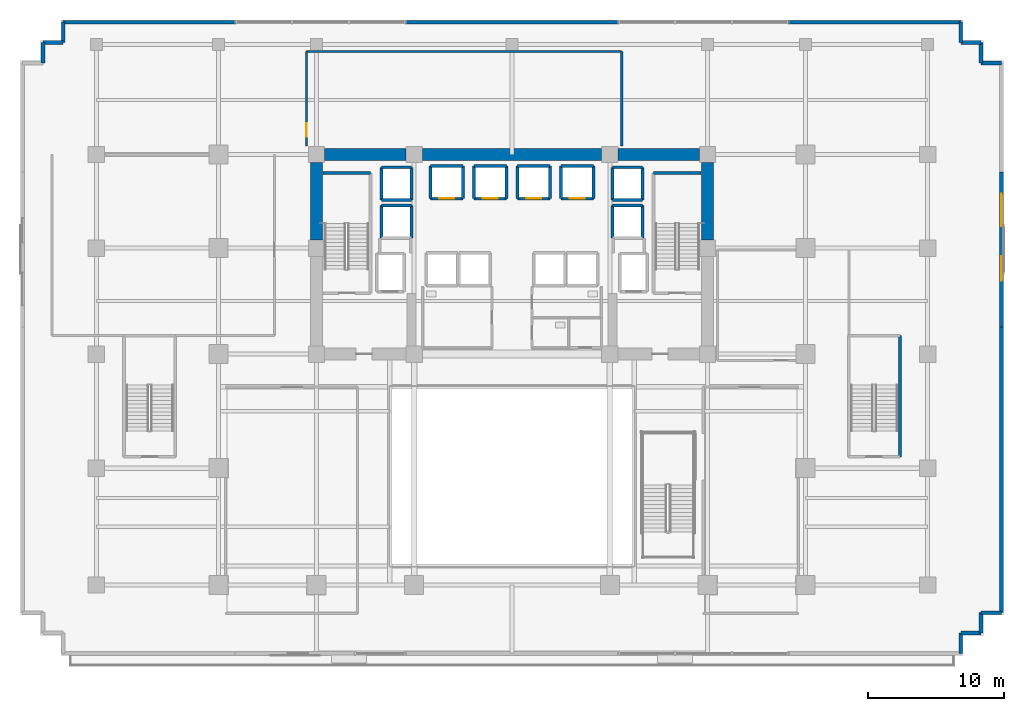
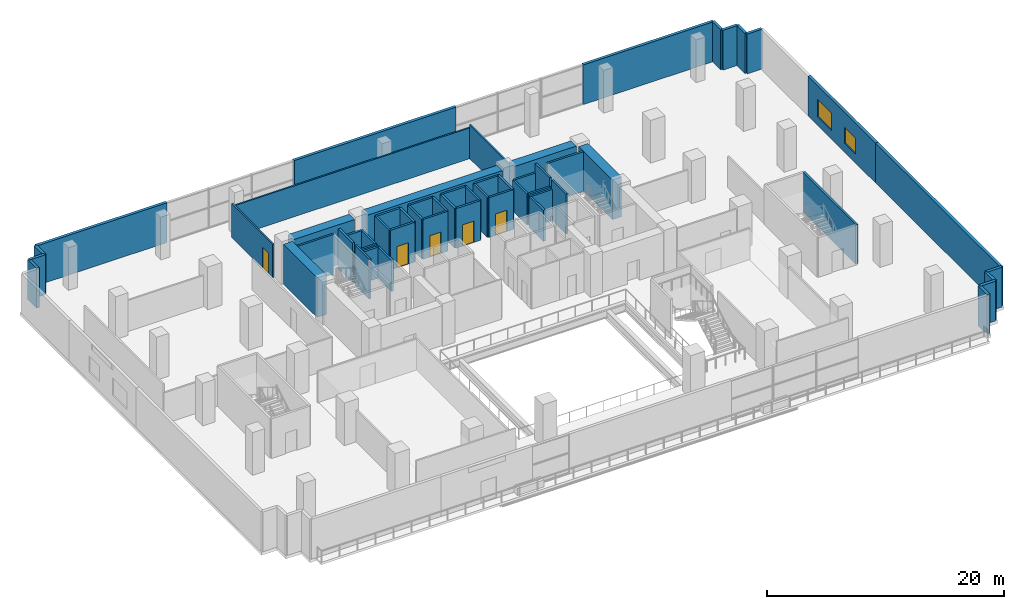
# One storey, part 15 of 23: 57 walls, 5 doors, 2 windows, 7 openings.
"""IFC4 building model written with IfcOpenShell, lengths in metres."""

from ifc_helpers import new_model, si_unit, direction, frame, frame_2d, origin, place, context, subcontext, project, spatial, rectangle, extrude, source, transform, mapped, material, layer, layer_set, type_object, element, fill, save


model = new_model("IFC4")

# Units and contexts
model_context = context("Model", 3, precision=1e-05, world=origin(), true_north=direction((0.0, 1.0)))
body_context = subcontext(model_context, "Body", "Model", "MODEL_VIEW")
ifc_project = project(units=[si_unit("LENGTHUNIT", "METRE"), si_unit("AREAUNIT", "SQUARE_METRE"), si_unit("VOLUMEUNIT", "CUBIC_METRE"), si_unit("PLANEANGLEUNIT", "RADIAN"), si_unit("MASSUNIT", "GRAM", prefix="KILO")], contexts=[model_context])

# Site, building, storey
site_placement = place(None, origin())
site = spatial("IfcSite", under=ifc_project, at=site_placement, CompositionType="ELEMENT")
building_placement = place(site_placement, origin())
building = spatial("IfcBuilding", under=site, at=building_placement, Name="Zarnakvel Exchange Tower", CompositionType="ELEMENT")
storey_placement = place(building_placement, frame((0.0, 0.0, 13.800048828125)))
storey = spatial("IfcBuildingStorey", under=building, at=storey_placement, Name="L03", CompositionType="ELEMENT", Elevation=13.800048828125)

# Walls
ifc_material_1 = material(Name="Concrete C80/95", Category="concrete")
ifc_layer_1 = layer(ifc_material_1, 0.89990234375)
ifc_layer_set_1 = layer_set([ifc_layer_1], Name="Concrete C80/95")
wall_type_1 = type_object("IfcWallType", Name="CW-C1", PredefinedType="SHEAR", material=ifc_layer_set_1)
wall_1_placement = place(storey_placement, frame((-13.800048828125, 13.5, 0.0), z_axis=(0.0, 0.0, 1.0), x_axis=(1.0, 0.0, 0.0)))
element("IfcWall", 1, at=wall_1_placement, inside=storey, type_object=wall_type_1, Name="L03 Rear Core Shear Wall N1 (CW-C1)", PredefinedType="SHEAR", context=body_context, shape_type="SweptSolid", body=[
    extrude(rectangle(XDim=6.0, YDim=0.89990234375, at=frame_2d((3.0, 0.0))), origin(), (0.0, 0.0, 1.0), 4.099853515625),
])
wall_2_placement = place(storey_placement, frame((-6.60009765625, 13.5, 0.0), z_axis=(0.0, 0.0, 1.0), x_axis=(1.0, 0.0, 0.0)))
element("IfcWall", 2, at=wall_2_placement, inside=storey, type_object=wall_type_1, Name="L03 Rear Core Shear Wall N2 (CW-C1)", PredefinedType="SHEAR", context=body_context, shape_type="SweptSolid", body=[
    extrude(rectangle(XDim=13.2001953125, YDim=0.89990234375, at=frame_2d((6.60009765625, 0.0))), origin(), (0.0, 0.0, 1.0), 4.099853515625),
])
wall_3_placement = place(storey_placement, frame((7.800048828125, 13.5, 0.0), z_axis=(0.0, 0.0, 1.0), x_axis=(1.0, 0.0, 0.0)))
element("IfcWall", 3, at=wall_3_placement, inside=storey, type_object=wall_type_1, Name="L03 Rear Core Shear Wall N3 (CW-C1)", PredefinedType="SHEAR", context=body_context, shape_type="SweptSolid", body=[
    extrude(rectangle(XDim=6.0, YDim=0.89990234375, at=frame_2d((3.0, 0.0))), origin(), (0.0, 0.0, 1.0), 4.099853515625),
])
for number, where, z_axis, x_axis, name in (
    (4, (-14.39990234375, 7.199951171875, 0.0), (0.0, 0.0, 1.0), (0.0, 1.0, 0.0), "L03 Rear Core Shear Wall W2 (CW-C1)"),
    (5, (14.39990234375, 7.199951171875, 0.0), (0.0, 0.0, 1.0), (0.0, 1.0, 0.0), "L03 Rear Core Shear Wall E2 (CW-C1)"),
):
    element("IfcWall", number, at=place(storey_placement, frame(where, z_axis=z_axis, x_axis=x_axis)), inside=storey, type_object=wall_type_1, Name=name, PredefinedType="SHEAR", context=body_context, shape_type="SweptSolid", body=[
        extrude(rectangle(XDim=5.699951171875, YDim=0.89990234375, at=frame_2d((2.85009765625, 0.0))), origin(), (0.0, 0.0, 1.0), 4.099853515625),
    ])

# Wall, openings, windows
ifc_material_2 = material(Name="Precast concrete C40/50", Category="concrete")
ifc_layer_2 = layer(ifc_material_2, 0.280029296875)
ifc_layer_set_2 = layer_set([ifc_layer_2], Name="Precast concrete C40/50")
wall_type_2 = type_object("IfcWallType", Name="EW-01", PredefinedType="SOLIDWALL", material=ifc_layer_set_2)
wall_4_placement = place(storey_placement, frame((36.0400390625, 12.199951171875, 0.0), z_axis=(0.0, 0.0, 1.0), x_axis=(0.0, -1.0, 0.0)))
wall_4 = element("IfcWall", 6, at=wall_4_placement, inside=storey, type_object=wall_type_2, Name="L03 Exterior Precast Spandrel Wall EW-L03-EF (EW-01)", PredefinedType="SOLIDWALL", context=body_context, shape_type="SweptSolid", body=[
    extrude(rectangle(XDim=11.39990234375, YDim=0.280029296875, at=frame_2d((5.699951171875, 0.0))), origin(), (0.0, 0.0, 1.0), 4.099853515625),
])
opening_1_placement = place(wall_4_placement, frame((1.60009765625, 0.0, 0.89990234375)))
opening_1 = element("IfcOpeningElement", 7, at=opening_1_placement, cuts=wall_4, Name="Opening WN-01", PredefinedType="OPENING", context=body_context, shape_type="SweptSolid", body=[
    extrude(rectangle(XDim=2.39990234375, YDim=1.800048828125, at=frame_2d((1.199951171875, 0.89990234375))), frame((0.0, 0.14990234375, 0.0), z_axis=(0.0, -1.0, 0.0), x_axis=(1.0, 0.0, 0.0)), (0.0, 0.0, 1.0), 0.300048828125),
])
opening_2_placement = place(wall_4_placement, frame((6.199951171875, 0.0, 0.89990234375)))
opening_2 = element("IfcOpeningElement", 8, at=opening_2_placement, cuts=wall_4, Name="Opening WN-02", PredefinedType="OPENING", context=body_context, shape_type="SweptSolid", body=[
    extrude(rectangle(XDim=1.800048828125, YDim=1.64990234375, at=frame_2d((0.89990234375, 0.824951171875))), frame((0.0, 0.14990234375, 0.0), z_axis=(0.0, -1.0, 0.0), x_axis=(1.0, 0.0, 0.0)), (0.0, 0.0, 1.0), 0.300048828125),
])
ifc_material_3 = material(Name="Double Low-E Laminated Vision Glass", Category="glass")
window_type_1 = type_object("IfcWindowType", Name="WN-01", PartitioningType="SINGLE_PANEL", PredefinedType="WINDOW", material=ifc_material_3)
shared_shape_1 = source(origin(), body_context, "Body", "SweptSolid", [
    extrude(rectangle(XDim=2.39990234375, YDim=1.800048828125, at=frame_2d((1.199951171875, 0.89990234375))), frame((0.0, 0.030029296875, 0.0), z_axis=(0.0, -1.0, 0.0), x_axis=(1.0, 0.0, 0.0)), (0.0, 0.0, 1.0), 0.06005859375),
])
window_1_placement = place(opening_1_placement, origin())
window_1 = element("IfcWindow", 9, at=window_1_placement, inside=storey, type_object=window_type_1, Name="L03 East Flank Window 1", OverallHeight=1.800048828125, OverallWidth=2.39990234375, PartitioningType="SINGLE_PANEL", PredefinedType="WINDOW", context=body_context, shape_type="MappedRepresentation", body=[
    mapped(shared_shape_1, transform((0.0, 0.0, 0.0), x_axis=(1.0, 0.0, 0.0), y_axis=(0.0, 1.0, 0.0), z_axis=(0.0, 0.0, 1.0), scale=1.0)),
])
fill(opening_1, window_1)
window_type_2 = type_object("IfcWindowType", Name="WN-02", PartitioningType="SINGLE_PANEL", PredefinedType="WINDOW", material=ifc_material_3)
shared_shape_2 = source(origin(), body_context, "Body", "SweptSolid", [
    extrude(rectangle(XDim=1.800048828125, YDim=1.64990234375, at=frame_2d((0.89990234375, 0.824951171875))), frame((0.0, 0.030029296875, 0.0), z_axis=(0.0, -1.0, 0.0), x_axis=(1.0, 0.0, 0.0)), (0.0, 0.0, 1.0), 0.06005859375),
])
window_2_placement = place(opening_2_placement, origin())
window_2 = element("IfcWindow", 10, at=window_2_placement, inside=storey, type_object=window_type_2, Name="L03 East Flank Window 2", OverallHeight=1.64990234375, OverallWidth=1.800048828125, PartitioningType="SINGLE_PANEL", PredefinedType="WINDOW", context=body_context, shape_type="MappedRepresentation", body=[
    mapped(shared_shape_2, transform((0.0, 0.0, 0.0), x_axis=(1.0, 0.0, 0.0), y_axis=(0.0, 1.0, 0.0), z_axis=(0.0, 0.0, 1.0), scale=1.0)),
])
fill(opening_2, window_2)

# Walls
for number, where, z_axis, x_axis, name in (
    (11, (-34.5400390625, 21.739990234375, 0.0), (0.0, 0.0, 1.0), (0.0, -1.0, 0.0), "L03 Exterior Precast Spandrel Wall EWC-L03-04 (EW-01)"),
    (12, (-33.0400390625, 21.739990234375, 0.0), (0.0, 0.0, 1.0), (-1.0, 0.0, 0.0), "L03 Exterior Precast Spandrel Wall EWC-L03-05 (EW-01)"),
    (13, (-33.0400390625, 23.239990234375, 0.0), (0.0, 0.0, 1.0), (0.0, -1.0, 0.0), "L03 Exterior Precast Spandrel Wall EWC-L03-06 (EW-01)"),
):
    element("IfcWall", number, at=place(storey_placement, frame(where, z_axis=z_axis, x_axis=x_axis)), inside=storey, type_object=wall_type_2, Name=name, PredefinedType="SOLIDWALL", context=body_context, shape_type="SweptSolid", body=[
        extrude(rectangle(XDim=1.5, YDim=0.280029296875, at=frame_2d((0.75, 0.0))), origin(), (0.0, 0.0, 1.0), 4.099853515625),
    ])
wall_5_placement = place(storey_placement, frame((-20.304931640625, 23.239990234375, 0.0), z_axis=(0.0, 0.0, 1.0), x_axis=(-1.0, 0.0, 0.0)))
element("IfcWall", 14, at=wall_5_placement, inside=storey, type_object=wall_type_2, Name="L03 Exterior Precast Spandrel Wall EWC-L03-07 (EW-01)", PredefinedType="SOLIDWALL", context=body_context, shape_type="SweptSolid", body=[
    extrude(rectangle(XDim=12.735107421875, YDim=0.280029296875, at=frame_2d((6.36767578125, 0.0))), origin(), (0.0, 0.0, 1.0), 4.099853515625),
])
wall_6_placement = place(storey_placement, frame((7.89501953125, 23.239990234375, 0.0), z_axis=(0.0, 0.0, 1.0), x_axis=(-1.0, 0.0, 0.0)))
element("IfcWall", 15, at=wall_6_placement, inside=storey, type_object=wall_type_2, Name="L03 Exterior Precast Spandrel Wall EWC-L03-08 (EW-01)", PredefinedType="SOLIDWALL", context=body_context, shape_type="SweptSolid", body=[
    extrude(rectangle(XDim=15.7900390625, YDim=0.280029296875, at=frame_2d((7.89501953125, 0.0))), origin(), (0.0, 0.0, 1.0), 4.099853515625),
])
wall_7_placement = place(storey_placement, frame((33.0400390625, 23.239990234375, 0.0), z_axis=(0.0, 0.0, 1.0), x_axis=(-1.0, 0.0, 0.0)))
element("IfcWall", 16, at=wall_7_placement, inside=storey, type_object=wall_type_2, Name="L03 Exterior Precast Spandrel Wall EWC-L03-09 (EW-01)", PredefinedType="SOLIDWALL", context=body_context, shape_type="SweptSolid", body=[
    extrude(rectangle(XDim=12.735107421875, YDim=0.280029296875, at=frame_2d((6.36767578125, 0.0))), origin(), (0.0, 0.0, 1.0), 4.099853515625),
])
for number, where, z_axis, x_axis, name in (
    (17, (33.0400390625, 21.739990234375, 0.0), (0.0, 0.0, 1.0), (0.0, 1.0, 0.0), "L03 Exterior Precast Spandrel Wall EWC-L03-10 (EW-01)"),
    (18, (34.5400390625, 21.739990234375, 0.0), (0.0, 0.0, 1.0), (-1.0, 0.0, 0.0), "L03 Exterior Precast Spandrel Wall EWC-L03-11 (EW-01)"),
    (19, (34.5400390625, 20.239990234375, 0.0), (0.0, 0.0, 1.0), (0.0, 1.0, 0.0), "L03 Exterior Precast Spandrel Wall EWC-L03-12 (EW-01)"),
    (20, (36.0400390625, 20.239990234375, 0.0), (0.0, 0.0, 1.0), (-1.0, 0.0, 0.0), "L03 Exterior Precast Spandrel Wall EWC-L03-13 (EW-01)"),
):
    element("IfcWall", number, at=place(storey_placement, frame(where, z_axis=z_axis, x_axis=x_axis)), inside=storey, type_object=wall_type_2, Name=name, PredefinedType="SOLIDWALL", context=body_context, shape_type="SweptSolid", body=[
        extrude(rectangle(XDim=1.5, YDim=0.280029296875, at=frame_2d((0.75, 0.0))), origin(), (0.0, 0.0, 1.0), 4.099853515625),
    ])
wall_8_placement = place(storey_placement, frame((36.0400390625, -20.239990234375, 0.0), z_axis=(0.0, 0.0, 1.0), x_axis=(0.0, 1.0, 0.0)))
element("IfcWall", 21, at=wall_8_placement, inside=storey, type_object=wall_type_2, Name="L03 Exterior Precast Spandrel Wall EWC-L03-15 (EW-01)", PredefinedType="SOLIDWALL", context=body_context, shape_type="SweptSolid", body=[
    extrude(rectangle(XDim=21.0400390625, YDim=0.280029296875, at=frame_2d((10.52001953125, 0.0))), origin(), (0.0, 0.0, 1.0), 4.099853515625),
])
for number, where, z_axis, x_axis, name in (
    (22, (34.5400390625, -20.239990234375, 0.0), (0.0, 0.0, 1.0), (1.0, 0.0, 0.0), "L03 Exterior Precast Spandrel Wall EWC-L03-16 (EW-01)"),
    (23, (34.5400390625, -21.739990234375, 0.0), (0.0, 0.0, 1.0), (0.0, 1.0, 0.0), "L03 Exterior Precast Spandrel Wall EWC-L03-17 (EW-01)"),
    (24, (33.0400390625, -21.739990234375, 0.0), (0.0, 0.0, 1.0), (1.0, 0.0, 0.0), "L03 Exterior Precast Spandrel Wall EWC-L03-18 (EW-01)"),
    (25, (33.0400390625, -23.239990234375, 0.0), (0.0, 0.0, 1.0), (0.0, 1.0, 0.0), "L03 Exterior Precast Spandrel Wall EWC-L03-19 (EW-01)"),
):
    element("IfcWall", number, at=place(storey_placement, frame(where, z_axis=z_axis, x_axis=x_axis)), inside=storey, type_object=wall_type_2, Name=name, PredefinedType="SOLIDWALL", context=body_context, shape_type="SweptSolid", body=[
        extrude(rectangle(XDim=1.5, YDim=0.280029296875, at=frame_2d((0.75, 0.0))), origin(), (0.0, 0.0, 1.0), 4.099853515625),
    ])
ifc_material_4 = material(Name="Fire-Rated Gypsum Stud Partition", Category="gypsum")
ifc_layer_3 = layer(ifc_material_4, 0.14990234375)
ifc_layer_set_3 = layer_set([ifc_layer_3], Name="Fire-Rated Gypsum Stud Partition")
wall_type_3 = type_object("IfcWallType", Name="PT-01", PredefinedType="PARTITIONING", material=ifc_layer_set_3)
wall_9_placement = place(storey_placement, frame((-15.1201171875, 21.080078125, 0.0), z_axis=(0.0, 0.0, 1.0), x_axis=(1.0, 0.0, 0.0)))
element("IfcWall", 26, at=wall_9_placement, inside=storey, type_object=wall_type_3, Name="L03 Partition Wall PWALL-L03-048 (PT-01)", PredefinedType="PARTITIONING", context=body_context, shape_type="SweptSolid", body=[
    extrude(rectangle(XDim=23.2001953125, YDim=0.14990234375, at=frame_2d((11.60009765625, 0.0))), origin(), (0.0, 0.0, 1.0), 3.18994140625),
])

# Wall, opening, door
wall_10_placement = place(storey_placement, frame((-15.1201171875, 14.1201171875, 0.0), z_axis=(0.0, 0.0, 1.0), x_axis=(0.0, 1.0, 0.0)))
wall_10 = element("IfcWall", 27, at=wall_10_placement, inside=storey, type_object=wall_type_3, Name="L03 Partition Wall PWALL-L03-049 (PT-01)", PredefinedType="PARTITIONING", context=body_context, shape_type="SweptSolid", body=[
    extrude(rectangle(XDim=6.9599609375, YDim=0.14990234375, at=frame_2d((3.47998046875, 0.0))), origin(), (0.0, 0.0, 1.0), 3.47265625),
])
opening_3_placement = place(wall_10_placement, frame((0.68994140625, 0.0, 0.0)))
opening_3 = element("IfcOpeningElement", 28, at=opening_3_placement, cuts=wall_10, Name="Opening D-L03-15", PredefinedType="OPENING", context=body_context, shape_type="SweptSolid", body=[
    extrude(rectangle(XDim=0.97998046875, YDim=2.14990234375, at=frame_2d((0.489990234375, 1.074951171875))), frame((0.0, 0.0849609375, 0.0), z_axis=(0.0, -1.0, 0.0), x_axis=(1.0, 0.0, 0.0)), (0.0, 0.0, 1.0), 0.169921875),
])
ifc_material_5 = material(Name="Timber Acoustic Veneer", Category="wood")
door_type_1 = type_object("IfcDoorType", Name="DT-05", OperationType="NOTDEFINED", PredefinedType="DOOR", material=ifc_material_5)
shared_shape_3 = source(origin(), body_context, "Body", "SweptSolid", [
    extrude(rectangle(XDim=0.97998046875, YDim=2.14990234375, at=frame_2d((0.489990234375, 1.074951171875))), frame((0.0, 0.02490234375, 0.0), z_axis=(0.0, -1.0, 0.0), x_axis=(1.0, 0.0, 0.0)), (0.0, 0.0, 1.0), 0.050048828125),
])
door_1_placement = place(opening_3_placement, origin())
door_1 = element("IfcDoor", 29, at=door_1_placement, inside=storey, type_object=door_type_1, Name="L03 Delegates Reception Lounge Door D-L03-15", OperationType="SINGLE_SWING_LEFT", OverallHeight=2.14990234375, OverallWidth=0.97998046875, PredefinedType="DOOR", context=body_context, shape_type="MappedRepresentation", body=[
    mapped(shared_shape_3, transform((0.0, 0.0, 0.0), x_axis=(1.0, 0.0, 0.0), y_axis=(0.0, 1.0, 0.0), z_axis=(0.0, 0.0, 1.0), scale=1.0)),
])
fill(opening_3, door_1)

# Wall
wall_11_placement = place(storey_placement, frame((8.080078125, 21.080078125, 0.0), z_axis=(0.0, 0.0, 1.0), x_axis=(0.0, -1.0, 0.0)))
element("IfcWall", 30, at=wall_11_placement, inside=storey, type_object=wall_type_3, Name="L03 Partition Wall PWALL-L03-050 (PT-01)", PredefinedType="PARTITIONING", context=body_context, shape_type="SweptSolid", body=[
    extrude(rectangle(XDim=6.9599609375, YDim=0.14990234375, at=frame_2d((3.47998046875, 0.0))), origin(), (0.0, 0.0, 1.0), 3.47265625),
])

# Wall, opening, door
ifc_material_6 = material(Name="Concrete C40/50", Category="concrete")
ifc_layer_4 = layer(ifc_material_6, 0.199951171875)
ifc_layer_set_4 = layer_set([ifc_layer_4], Name="Concrete C40/50")
wall_type_4 = type_object("IfcWallType", Name="SW-01", PredefinedType="SOLIDWALL", material=ifc_layer_set_4)
wall_12_placement = place(storey_placement, frame((-3.60009765625, 10.25, 0.0), z_axis=(0.0, 0.0, 1.0), x_axis=(-1.0, 0.0, 0.0)))
wall_12 = element("IfcWall", 31, at=wall_12_placement, inside=storey, type_object=wall_type_4, Name="L03 PL-01 Hoistway Wall South", PredefinedType="SOLIDWALL", context=body_context, shape_type="SweptSolid", body=[
    extrude(rectangle(XDim=2.39990234375, YDim=0.199951171875, at=frame_2d((1.199951171875, 0.0))), origin(), (0.0, 0.0, 1.0), 4.099853515625),
])
opening_4_placement = place(wall_12_placement, frame((0.64990234375, 0.0, 0.0)))
opening_4 = element("IfcOpeningElement", 32, at=opening_4_placement, cuts=wall_12, Name="Opening LD-PL-01-L03", PredefinedType="OPENING", context=body_context, shape_type="SweptSolid", body=[
    extrude(rectangle(XDim=1.10009765625, YDim=2.199951171875, at=frame_2d((0.550048828125, 1.10009765625))), frame((0.0, 0.10986328125, 0.0), z_axis=(0.0, -1.0, 0.0), x_axis=(1.0, 0.0, 0.0)), (0.0, 0.0, 1.0), 0.219970703125),
])
ifc_material_7 = material(Name="Architectural Bronze Anodised Aluminium", Category="aluminium")
door_type_2 = type_object("IfcDoorType", Name="LDT-02", OperationType="NOTDEFINED", PredefinedType="DOOR", material=ifc_material_7)
shared_shape_4 = source(origin(), body_context, "Body", "SweptSolid", [
    extrude(rectangle(XDim=1.10009765625, YDim=2.199951171875, at=frame_2d((0.550048828125, 1.10009765625))), frame((0.0, 0.02490234375, 0.0), z_axis=(0.0, -1.0, 0.0), x_axis=(1.0, 0.0, 0.0)), (0.0, 0.0, 1.0), 0.050048828125),
])
door_2_placement = place(opening_4_placement, origin())
door_2 = element("IfcDoor", 33, at=door_2_placement, inside=storey, type_object=door_type_2, Name="L03 PL-01 Lift Landing Door LD-PL-01-L03", OperationType="DOUBLE_DOOR_SLIDING", OverallHeight=2.199951171875, OverallWidth=1.10009765625, PredefinedType="DOOR", context=body_context, shape_type="MappedRepresentation", body=[
    mapped(shared_shape_4, transform((0.0, 0.0, 0.0), x_axis=(1.0, 0.0, 0.0), y_axis=(0.0, 1.0, 0.0), z_axis=(0.0, 0.0, 1.0), scale=1.0)),
])
fill(opening_4, door_2)

# Walls
for number, where, z_axis, x_axis, name in (
    (34, (-6.0, 12.64990234375, 0.0), (0.0, 0.0, 1.0), (1.0, 0.0, 0.0), "L03 PL-01 Hoistway Wall North"),
    (35, (-6.0, 10.25, 0.0), (0.0, 0.0, 1.0), (0.0, 1.0, 0.0), "L03 PL-01 Hoistway Wall West"),
    (36, (-3.60009765625, 12.64990234375, 0.0), (0.0, 0.0, 1.0), (0.0, -1.0, 0.0), "L03 PL-01 Hoistway Wall East"),
):
    element("IfcWall", number, at=place(storey_placement, frame(where, z_axis=z_axis, x_axis=x_axis)), inside=storey, type_object=wall_type_4, Name=name, PredefinedType="SOLIDWALL", context=body_context, shape_type="SweptSolid", body=[
        extrude(rectangle(XDim=2.39990234375, YDim=0.199951171875, at=frame_2d((1.199951171875, 0.0))), origin(), (0.0, 0.0, 1.0), 4.099853515625),
    ])

# Wall, opening, door
wall_13_placement = place(storey_placement, frame((-0.39990234375, 10.25, 0.0), z_axis=(0.0, 0.0, 1.0), x_axis=(-1.0, 0.0, 0.0)))
wall_13 = element("IfcWall", 37, at=wall_13_placement, inside=storey, type_object=wall_type_4, Name="L03 PL-02 Hoistway Wall South", PredefinedType="SOLIDWALL", context=body_context, shape_type="SweptSolid", body=[
    extrude(rectangle(XDim=2.400146484375, YDim=0.199951171875, at=frame_2d((1.2001953125, 0.0))), origin(), (0.0, 0.0, 1.0), 4.099853515625),
])
opening_5_placement = place(wall_13_placement, frame((0.64990234375, 0.0, 0.0)))
opening_5 = element("IfcOpeningElement", 38, at=opening_5_placement, cuts=wall_13, Name="Opening LD-PL-02-L03", PredefinedType="OPENING", context=body_context, shape_type="SweptSolid", body=[
    extrude(rectangle(XDim=1.10009765625, YDim=2.199951171875, at=frame_2d((0.550048828125, 1.10009765625))), frame((0.0, 0.10986328125, 0.0), z_axis=(0.0, -1.0, 0.0), x_axis=(1.0, 0.0, 0.0)), (0.0, 0.0, 1.0), 0.219970703125),
])
door_3_placement = place(opening_5_placement, origin())
door_3 = element("IfcDoor", 39, at=door_3_placement, inside=storey, type_object=door_type_2, Name="L03 PL-02 Lift Landing Door LD-PL-02-L03", OperationType="DOUBLE_DOOR_SLIDING", OverallHeight=2.199951171875, OverallWidth=1.10009765625, PredefinedType="DOOR", context=body_context, shape_type="MappedRepresentation", body=[
    mapped(shared_shape_4, transform((0.0, 0.0, 0.0), x_axis=(1.0, 0.0, 0.0), y_axis=(0.0, 1.0, 0.0), z_axis=(0.0, 0.0, 1.0), scale=1.0)),
])
fill(opening_5, door_3)

# Walls
wall_14_placement = place(storey_placement, frame((-2.800048828125, 12.64990234375, 0.0), z_axis=(0.0, 0.0, 1.0), x_axis=(1.0, 0.0, 0.0)))
element("IfcWall", 40, at=wall_14_placement, inside=storey, type_object=wall_type_4, Name="L03 PL-02 Hoistway Wall North", PredefinedType="SOLIDWALL", context=body_context, shape_type="SweptSolid", body=[
    extrude(rectangle(XDim=2.400146484375, YDim=0.199951171875, at=frame_2d((1.2001953125, 0.0))), origin(), (0.0, 0.0, 1.0), 4.099853515625),
])
for number, where, z_axis, x_axis, name in (
    (41, (-2.800048828125, 10.25, 0.0), (0.0, 0.0, 1.0), (0.0, 1.0, 0.0), "L03 PL-02 Hoistway Wall West"),
    (42, (-0.39990234375, 12.64990234375, 0.0), (0.0, 0.0, 1.0), (0.0, -1.0, 0.0), "L03 PL-02 Hoistway Wall East"),
):
    element("IfcWall", number, at=place(storey_placement, frame(where, z_axis=z_axis, x_axis=x_axis)), inside=storey, type_object=wall_type_4, Name=name, PredefinedType="SOLIDWALL", context=body_context, shape_type="SweptSolid", body=[
        extrude(rectangle(XDim=2.39990234375, YDim=0.199951171875, at=frame_2d((1.199951171875, 0.0))), origin(), (0.0, 0.0, 1.0), 4.099853515625),
    ])

# Wall, opening, door
wall_15_placement = place(storey_placement, frame((2.800048828125, 10.25, 0.0), z_axis=(0.0, 0.0, 1.0), x_axis=(-1.0, 0.0, 0.0)))
wall_15 = element("IfcWall", 43, at=wall_15_placement, inside=storey, type_object=wall_type_4, Name="L03 PL-03 Hoistway Wall South", PredefinedType="SOLIDWALL", context=body_context, shape_type="SweptSolid", body=[
    extrude(rectangle(XDim=2.400146484375, YDim=0.199951171875, at=frame_2d((1.2001953125, 0.0))), origin(), (0.0, 0.0, 1.0), 4.099853515625),
])
opening_6_placement = place(wall_15_placement, frame((0.64990234375, 0.0, 0.0)))
opening_6 = element("IfcOpeningElement", 44, at=opening_6_placement, cuts=wall_15, Name="Opening LD-PL-03-L03", PredefinedType="OPENING", context=body_context, shape_type="SweptSolid", body=[
    extrude(rectangle(XDim=1.10009765625, YDim=2.199951171875, at=frame_2d((0.550048828125, 1.10009765625))), frame((0.0, 0.10986328125, 0.0), z_axis=(0.0, -1.0, 0.0), x_axis=(1.0, 0.0, 0.0)), (0.0, 0.0, 1.0), 0.219970703125),
])
door_4_placement = place(opening_6_placement, origin())
door_4 = element("IfcDoor", 45, at=door_4_placement, inside=storey, type_object=door_type_2, Name="L03 PL-03 Lift Landing Door LD-PL-03-L03", OperationType="DOUBLE_DOOR_SLIDING", OverallHeight=2.199951171875, OverallWidth=1.10009765625, PredefinedType="DOOR", context=body_context, shape_type="MappedRepresentation", body=[
    mapped(shared_shape_4, transform((0.0, 0.0, 0.0), x_axis=(1.0, 0.0, 0.0), y_axis=(0.0, 1.0, 0.0), z_axis=(0.0, 0.0, 1.0), scale=1.0)),
])
fill(opening_6, door_4)

# Walls
wall_16_placement = place(storey_placement, frame((0.39990234375, 12.64990234375, 0.0), z_axis=(0.0, 0.0, 1.0), x_axis=(1.0, 0.0, 0.0)))
element("IfcWall", 46, at=wall_16_placement, inside=storey, type_object=wall_type_4, Name="L03 PL-03 Hoistway Wall North", PredefinedType="SOLIDWALL", context=body_context, shape_type="SweptSolid", body=[
    extrude(rectangle(XDim=2.400146484375, YDim=0.199951171875, at=frame_2d((1.2001953125, 0.0))), origin(), (0.0, 0.0, 1.0), 4.099853515625),
])
for number, where, z_axis, x_axis, name in (
    (47, (0.39990234375, 10.25, 0.0), (0.0, 0.0, 1.0), (0.0, 1.0, 0.0), "L03 PL-03 Hoistway Wall West"),
    (48, (2.800048828125, 12.64990234375, 0.0), (0.0, 0.0, 1.0), (0.0, -1.0, 0.0), "L03 PL-03 Hoistway Wall East"),
):
    element("IfcWall", number, at=place(storey_placement, frame(where, z_axis=z_axis, x_axis=x_axis)), inside=storey, type_object=wall_type_4, Name=name, PredefinedType="SOLIDWALL", context=body_context, shape_type="SweptSolid", body=[
        extrude(rectangle(XDim=2.39990234375, YDim=0.199951171875, at=frame_2d((1.199951171875, 0.0))), origin(), (0.0, 0.0, 1.0), 4.099853515625),
    ])

# Wall, opening, door
wall_17_placement = place(storey_placement, frame((6.0, 10.25, 0.0), z_axis=(0.0, 0.0, 1.0), x_axis=(-1.0, 0.0, 0.0)))
wall_17 = element("IfcWall", 49, at=wall_17_placement, inside=storey, type_object=wall_type_4, Name="L03 PL-04 Hoistway Wall South", PredefinedType="SOLIDWALL", context=body_context, shape_type="SweptSolid", body=[
    extrude(rectangle(XDim=2.39990234375, YDim=0.199951171875, at=frame_2d((1.199951171875, 0.0))), origin(), (0.0, 0.0, 1.0), 4.099853515625),
])
opening_7_placement = place(wall_17_placement, frame((0.64990234375, 0.0, 0.0)))
opening_7 = element("IfcOpeningElement", 50, at=opening_7_placement, cuts=wall_17, Name="Opening LD-PL-04-L03", PredefinedType="OPENING", context=body_context, shape_type="SweptSolid", body=[
    extrude(rectangle(XDim=1.10009765625, YDim=2.199951171875, at=frame_2d((0.550048828125, 1.10009765625))), frame((0.0, 0.10986328125, 0.0), z_axis=(0.0, -1.0, 0.0), x_axis=(1.0, 0.0, 0.0)), (0.0, 0.0, 1.0), 0.219970703125),
])
door_5_placement = place(opening_7_placement, origin())
door_5 = element("IfcDoor", 51, at=door_5_placement, inside=storey, type_object=door_type_2, Name="L03 PL-04 Lift Landing Door LD-PL-04-L03", OperationType="DOUBLE_DOOR_SLIDING", OverallHeight=2.199951171875, OverallWidth=1.10009765625, PredefinedType="DOOR", context=body_context, shape_type="MappedRepresentation", body=[
    mapped(shared_shape_4, transform((0.0, 0.0, 0.0), x_axis=(1.0, 0.0, 0.0), y_axis=(0.0, 1.0, 0.0), z_axis=(0.0, 0.0, 1.0), scale=1.0)),
])
fill(opening_7, door_5)

# Walls
for number, where, z_axis, x_axis, name in (
    (52, (3.60009765625, 12.64990234375, 0.0), (0.0, 0.0, 1.0), (1.0, 0.0, 0.0), "L03 PL-04 Hoistway Wall North"),
    (53, (3.60009765625, 10.25, 0.0), (0.0, 0.0, 1.0), (0.0, 1.0, 0.0), "L03 PL-04 Hoistway Wall West"),
    (54, (6.0, 12.64990234375, 0.0), (0.0, 0.0, 1.0), (0.0, -1.0, 0.0), "L03 PL-04 Hoistway Wall East"),
):
    element("IfcWall", number, at=place(storey_placement, frame(where, z_axis=z_axis, x_axis=x_axis)), inside=storey, type_object=wall_type_4, Name=name, PredefinedType="SOLIDWALL", context=body_context, shape_type="SweptSolid", body=[
        extrude(rectangle(XDim=2.39990234375, YDim=0.199951171875, at=frame_2d((1.199951171875, 0.0))), origin(), (0.0, 0.0, 1.0), 4.099853515625),
    ])
wall_18_placement = place(storey_placement, frame((-9.60009765625, 9.75, 0.0), z_axis=(0.0, 0.0, 1.0), x_axis=(1.0, 0.0, 0.0)))
element("IfcWall", 55, at=wall_18_placement, inside=storey, type_object=wall_type_4, Name="L03 PL-09 Hoistway Wall North", PredefinedType="SOLIDWALL", context=body_context, shape_type="SweptSolid", body=[
    extrude(rectangle(XDim=2.2001953125, YDim=0.199951171875, at=frame_2d((1.10009765625, 0.0))), origin(), (0.0, 0.0, 1.0), 3.18994140625),
])
wall_19_placement = place(storey_placement, frame((-9.60009765625, 7.35009765625, 0.0), z_axis=(0.0, 0.0, 1.0), x_axis=(0.0, 1.0, 0.0)))
element("IfcWall", 56, at=wall_19_placement, inside=storey, type_object=wall_type_4, Name="L03 PL-09 Hoistway Wall West", PredefinedType="SOLIDWALL", context=body_context, shape_type="SweptSolid", body=[
    extrude(rectangle(XDim=2.39990234375, YDim=0.199951171875, at=frame_2d((1.199951171875, 0.0))), origin(), (0.0, 0.0, 1.0), 4.099853515625),
])
wall_20_placement = place(storey_placement, frame((-7.39990234375, 9.75, 0.0), z_axis=(0.0, 0.0, 1.0), x_axis=(0.0, -1.0, 0.0)))
element("IfcWall", 57, at=wall_20_placement, inside=storey, type_object=wall_type_4, Name="L03 PL-09 Hoistway Wall East", PredefinedType="SOLIDWALL", context=body_context, shape_type="SweptSolid", body=[
    extrude(rectangle(XDim=2.39990234375, YDim=0.199951171875, at=frame_2d((1.199951171875, 0.0))), origin(), (0.0, 0.0, 1.0), 3.18994140625),
])
for number, where, z_axis, x_axis, name in (
    (58, (-7.39990234375, 10.14990234375, 0.0), (0.0, 0.0, 1.0), (-1.0, 0.0, 0.0), "L03 PL-10 Hoistway Wall South"),
    (59, (-9.60009765625, 12.550048828125, 0.0), (0.0, 0.0, 1.0), (1.0, 0.0, 0.0), "L03 PL-10 Hoistway Wall North"),
):
    element("IfcWall", number, at=place(storey_placement, frame(where, z_axis=z_axis, x_axis=x_axis)), inside=storey, type_object=wall_type_4, Name=name, PredefinedType="SOLIDWALL", context=body_context, shape_type="SweptSolid", body=[
        extrude(rectangle(XDim=2.2001953125, YDim=0.199951171875, at=frame_2d((1.10009765625, 0.0))), origin(), (0.0, 0.0, 1.0), 3.18994140625),
    ])
wall_21_placement = place(storey_placement, frame((-9.60009765625, 10.14990234375, 0.0), z_axis=(0.0, 0.0, 1.0), x_axis=(0.0, 1.0, 0.0)))
element("IfcWall", 60, at=wall_21_placement, inside=storey, type_object=wall_type_4, Name="L03 PL-10 Hoistway Wall West", PredefinedType="SOLIDWALL", context=body_context, shape_type="SweptSolid", body=[
    extrude(rectangle(XDim=2.400146484375, YDim=0.199951171875, at=frame_2d((1.2001953125, 0.0))), origin(), (0.0, 0.0, 1.0), 4.099853515625),
])
wall_22_placement = place(storey_placement, frame((-7.39990234375, 12.550048828125, 0.0), z_axis=(0.0, 0.0, 1.0), x_axis=(0.0, -1.0, 0.0)))
element("IfcWall", 61, at=wall_22_placement, inside=storey, type_object=wall_type_4, Name="L03 PL-10 Hoistway Wall East", PredefinedType="SOLIDWALL", context=body_context, shape_type="SweptSolid", body=[
    extrude(rectangle(XDim=2.400146484375, YDim=0.199951171875, at=frame_2d((1.2001953125, 0.0))), origin(), (0.0, 0.0, 1.0), 3.18994140625),
])
wall_23_placement = place(storey_placement, frame((7.39990234375, 9.75, 0.0), z_axis=(0.0, 0.0, 1.0), x_axis=(1.0, 0.0, 0.0)))
element("IfcWall", 62, at=wall_23_placement, inside=storey, type_object=wall_type_4, Name="L03 PL-11 Hoistway Wall North", PredefinedType="SOLIDWALL", context=body_context, shape_type="SweptSolid", body=[
    extrude(rectangle(XDim=2.2001953125, YDim=0.199951171875, at=frame_2d((1.10009765625, 0.0))), origin(), (0.0, 0.0, 1.0), 3.18994140625),
])
wall_24_placement = place(storey_placement, frame((7.39990234375, 7.35009765625, 0.0), z_axis=(0.0, 0.0, 1.0), x_axis=(0.0, 1.0, 0.0)))
element("IfcWall", 63, at=wall_24_placement, inside=storey, type_object=wall_type_4, Name="L03 PL-11 Hoistway Wall West", PredefinedType="SOLIDWALL", context=body_context, shape_type="SweptSolid", body=[
    extrude(rectangle(XDim=2.39990234375, YDim=0.199951171875, at=frame_2d((1.199951171875, 0.0))), origin(), (0.0, 0.0, 1.0), 3.18994140625),
])
wall_25_placement = place(storey_placement, frame((9.60009765625, 9.75, 0.0), z_axis=(0.0, 0.0, 1.0), x_axis=(0.0, -1.0, 0.0)))
element("IfcWall", 64, at=wall_25_placement, inside=storey, type_object=wall_type_4, Name="L03 PL-11 Hoistway Wall East", PredefinedType="SOLIDWALL", context=body_context, shape_type="SweptSolid", body=[
    extrude(rectangle(XDim=2.39990234375, YDim=0.199951171875, at=frame_2d((1.199951171875, 0.0))), origin(), (0.0, 0.0, 1.0), 4.099853515625),
])
for number, where, z_axis, x_axis, name in (
    (65, (9.60009765625, 10.14990234375, 0.0), (0.0, 0.0, 1.0), (-1.0, 0.0, 0.0), "L03 PL-12 Hoistway Wall South"),
    (66, (7.39990234375, 12.550048828125, 0.0), (0.0, 0.0, 1.0), (1.0, 0.0, 0.0), "L03 PL-12 Hoistway Wall North"),
):
    element("IfcWall", number, at=place(storey_placement, frame(where, z_axis=z_axis, x_axis=x_axis)), inside=storey, type_object=wall_type_4, Name=name, PredefinedType="SOLIDWALL", context=body_context, shape_type="SweptSolid", body=[
        extrude(rectangle(XDim=2.2001953125, YDim=0.199951171875, at=frame_2d((1.10009765625, 0.0))), origin(), (0.0, 0.0, 1.0), 3.18994140625),
    ])
wall_26_placement = place(storey_placement, frame((7.39990234375, 10.14990234375, 0.0), z_axis=(0.0, 0.0, 1.0), x_axis=(0.0, 1.0, 0.0)))
element("IfcWall", 67, at=wall_26_placement, inside=storey, type_object=wall_type_4, Name="L03 PL-12 Hoistway Wall West", PredefinedType="SOLIDWALL", context=body_context, shape_type="SweptSolid", body=[
    extrude(rectangle(XDim=2.400146484375, YDim=0.199951171875, at=frame_2d((1.2001953125, 0.0))), origin(), (0.0, 0.0, 1.0), 3.18994140625),
])
wall_27_placement = place(storey_placement, frame((9.60009765625, 12.550048828125, 0.0), z_axis=(0.0, 0.0, 1.0), x_axis=(0.0, -1.0, 0.0)))
element("IfcWall", 68, at=wall_27_placement, inside=storey, type_object=wall_type_4, Name="L03 PL-12 Hoistway Wall East", PredefinedType="SOLIDWALL", context=body_context, shape_type="SweptSolid", body=[
    extrude(rectangle(XDim=2.400146484375, YDim=0.199951171875, at=frame_2d((1.2001953125, 0.0))), origin(), (0.0, 0.0, 1.0), 4.099853515625),
])
ifc_layer_5 = layer(ifc_material_6, 0.199951171875)
ifc_layer_set_5 = layer_set([ifc_layer_5], Name="Concrete C40/50")
wall_type_5 = type_object("IfcWallType", Name="SW-02", PredefinedType="SOLIDWALL", material=ifc_layer_set_5)
for number, where, z_axis, x_axis, name in (
    (69, (-13.929931640625, 12.1298828125, 0.0), (0.0, 0.0, 1.0), (1.0, 0.0, 0.0), "L03 Stairwell Core Wall PWALL-L03-002 (SW-02)"),
    (70, (10.409912109375, 12.1298828125, 0.0), (0.0, 0.0, 1.0), (1.0, 0.0, 0.0), "L03 Stairwell Core Wall PWALL-L03-005 (SW-02)"),
):
    element("IfcWall", number, at=place(storey_placement, frame(where, z_axis=z_axis, x_axis=x_axis)), inside=storey, type_object=wall_type_5, Name=name, PredefinedType="SOLIDWALL", context=body_context, shape_type="SweptSolid", body=[
        extrude(rectangle(XDim=3.52001953125, YDim=0.199951171875, at=frame_2d((1.760009765625, 0.0))), origin(), (0.0, 0.0, 1.0), 4.099853515625),
    ])
wall_28_placement = place(storey_placement, frame((28.56005859375, 0.159912109375, 0.0), z_axis=(0.0, 0.0, 1.0), x_axis=(0.0, -1.0, 0.0)))
element("IfcWall", 71, at=wall_28_placement, inside=storey, type_object=wall_type_5, Name="L03 Stairwell Core Wall PWALL-L03-029 (SW-02)", PredefinedType="SOLIDWALL", context=body_context, shape_type="SweptSolid", body=[
    extrude(rectangle(XDim=8.919921875, YDim=0.199951171875, at=frame_2d((4.4599609375, 0.0))), origin(), (0.0, 0.0, 1.0), 4.099853515625),
])

save(model, "model.ifc")
